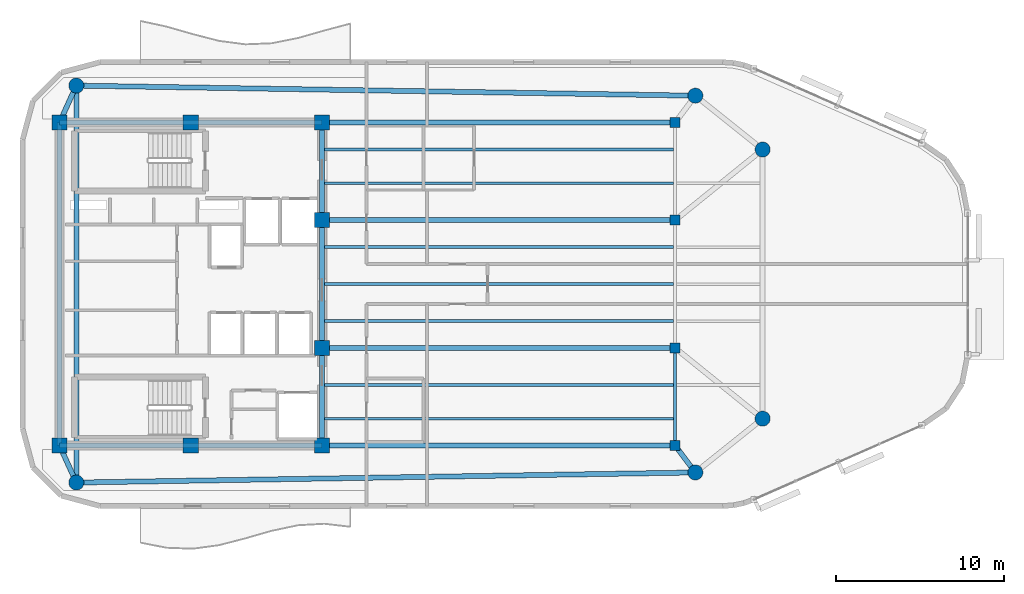
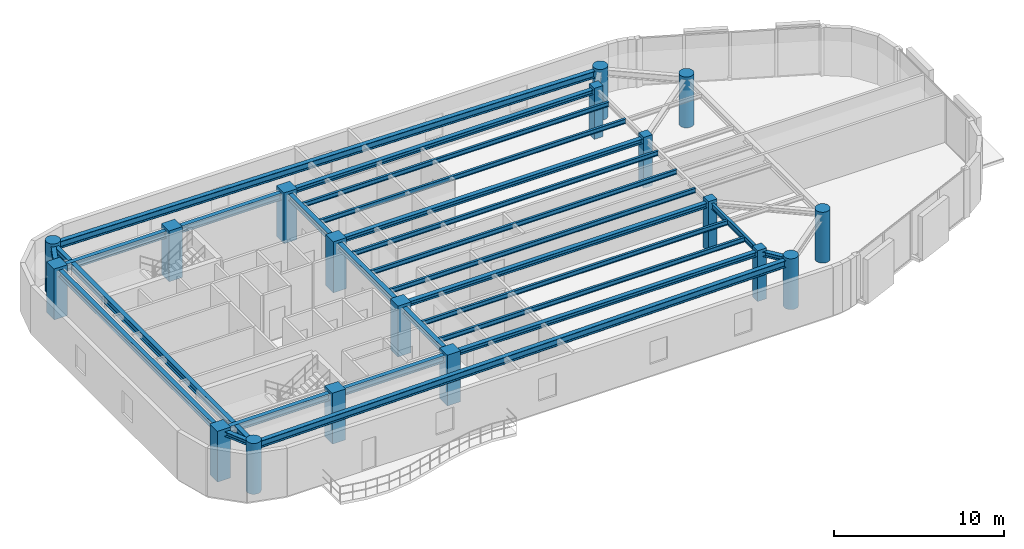
# One storey, part 1 of 12: 24 beams, 18 columns.
"""IFC4 building model written with IfcOpenShell, lengths in metres."""

from ifc_helpers import new_model, si_unit, direction, frame, origin, origin_2d, place, context, subcontext, project, spatial, rectangle, circle, i_section, extrude, material, material_profile, profile_set, type_object, element, save


model = new_model("IFC4")

# Units and contexts
model_context = context("Model", 3, precision=1e-05, world=origin(), true_north=direction((0.0, 1.0)))
body_context = subcontext(model_context, "Body", "Model", "MODEL_VIEW")
ifc_project = project(units=[si_unit("LENGTHUNIT", "METRE"), si_unit("AREAUNIT", "SQUARE_METRE"), si_unit("VOLUMEUNIT", "CUBIC_METRE"), si_unit("PLANEANGLEUNIT", "RADIAN"), si_unit("MASSUNIT", "GRAM", prefix="KILO")], contexts=[model_context])

# Site, building, storey
site_placement = place(None, origin())
site = spatial("IfcSite", under=ifc_project, at=site_placement, CompositionType="ELEMENT")
building_placement = place(site_placement, origin())
building = spatial("IfcBuilding", under=site, at=building_placement, Name="An Khanh Terracotta Commons", CompositionType="ELEMENT")
storey_placement = place(building_placement, frame((0.0, 0.0, 269.75)))
storey = spatial("IfcBuildingStorey", under=building, at=storey_placement, Name="L70", CompositionType="ELEMENT", Elevation=269.75)

# Columns
ifc_material_1 = material(Name="Concrete C50/60", Category="concrete")
ifc_material_profile_1 = material_profile(ifc_material_1, circle(Radius=0.449951171875, at=origin_2d()), Name="CFST900")
ifc_profile_set_1 = profile_set([ifc_material_profile_1], Name="Concrete C50/60")
column_type_1 = type_object("IfcColumnType", Name="COL-CFST900", PredefinedType="COLUMN", material=ifc_profile_set_1)
for number, where, z_axis, x_axis, name in (
    (1, (22.60009765625, 12.199951171875, 0.0), (0.0, 0.0, 1.0), (1.0, 0.0, 0.0), "L70 Perimeter CFST Mega-Column MC-01"),
    (2, (59.39990234375, 12.800048828125, 0.0), (0.0, 0.0, 1.0), (1.0, 0.0, 0.0), "L70 Perimeter CFST Mega-Column MC-02"),
    (3, (63.39990234375, 16.0, 0.0), (0.0, 0.0, 1.0), (1.0, 0.0, 0.0), "L70 Perimeter CFST Mega-Column MC-03"),
    (4, (63.39990234375, 32.0, 0.0), (0.0, 0.0, 1.0), (1.0, 0.0, 0.0), "L70 Perimeter CFST Mega-Column MC-04"),
    (5, (59.39990234375, 35.199951171875, 0.0), (0.0, 0.0, 1.0), (1.0, 0.0, 0.0), "L70 Perimeter CFST Mega-Column MC-05"),
    (6, (22.60009765625, 35.800048828125, 0.0), (0.0, 0.0, 1.0), (1.0, 0.0, 0.0), "L70 Perimeter CFST Mega-Column MC-06"),
):
    element("IfcColumn", number, at=place(storey_placement, frame(where, z_axis=z_axis, x_axis=x_axis)), inside=storey, type_object=column_type_1, Name=name, PredefinedType="COLUMN", context=body_context, shape_type="SweptSolid", body=[
        extrude(circle(Radius=0.449951171875, at=origin_2d()), origin(), (0.0, 0.0, 1.0), 3.64990234375),
    ])
ifc_material_profile_2 = material_profile(ifc_material_1, rectangle(XDim=0.60009765625, YDim=0.60009765625, at=origin_2d()), Name="RC600x600")
ifc_profile_set_2 = profile_set([ifc_material_profile_2], Name="Concrete C50/60")
column_type_2 = type_object("IfcColumnType", Name="COL-RC600x600", PredefinedType="COLUMN", material=ifc_profile_set_2)
for number, where, z_axis, x_axis, name in (
    (7, (58.199951171875, 14.39990234375, 0.0), (0.0, 0.0, 1.0), (1.0, 0.0, 0.0), "L70 Interior Frame Column TC-01"),
    (8, (58.199951171875, 20.199951171875, 0.0), (0.0, 0.0, 1.0), (1.0, 0.0, 0.0), "L70 Interior Frame Column TC-02"),
    (9, (58.199951171875, 27.800048828125, 0.0), (0.0, 0.0, 1.0), (1.0, 0.0, 0.0), "L70 Interior Frame Column TC-03"),
    (10, (58.199951171875, 33.60009765625, 0.0), (0.0, 0.0, 1.0), (1.0, 0.0, 0.0), "L70 Interior Frame Column TC-04"),
):
    element("IfcColumn", number, at=place(storey_placement, frame(where, z_axis=z_axis, x_axis=x_axis)), inside=storey, type_object=column_type_2, Name=name, PredefinedType="COLUMN", context=body_context, shape_type="SweptSolid", body=[
        extrude(rectangle(XDim=0.60009765625, YDim=0.60009765625, at=origin_2d()), origin(), (0.0, 0.0, 1.0), 3.64990234375),
    ])
ifc_material_profile_3 = material_profile(ifc_material_1, rectangle(XDim=0.89990234375, YDim=0.89990234375, at=origin_2d()), Name="RC900x900")
ifc_profile_set_3 = profile_set([ifc_material_profile_3], Name="Concrete C50/60")
column_type_3 = type_object("IfcColumnType", Name="COL-RC900x900", PredefinedType="COLUMN", material=ifc_profile_set_3)
for number, where, z_axis, x_axis, name in (
    (11, (21.60009765625, 14.39990234375, 0.0), (0.0, 0.0, 1.0), (1.0, 0.0, 0.0), "L70 Core Boundary Column CC-01"),
    (12, (29.39990234375, 14.39990234375, 0.0), (0.0, 0.0, 1.0), (1.0, 0.0, 0.0), "L70 Core Boundary Column CC-02"),
    (13, (37.199951171875, 14.39990234375, 0.0), (0.0, 0.0, 1.0), (1.0, 0.0, 0.0), "L70 Core Boundary Column CC-03"),
    (14, (37.199951171875, 20.199951171875, 0.0), (0.0, 0.0, 1.0), (1.0, 0.0, 0.0), "L70 Core Boundary Column CC-04"),
    (15, (37.199951171875, 27.800048828125, 0.0), (0.0, 0.0, 1.0), (1.0, 0.0, 0.0), "L70 Core Boundary Column CC-05"),
    (16, (37.199951171875, 33.60009765625, 0.0), (0.0, 0.0, 1.0), (1.0, 0.0, 0.0), "L70 Core Boundary Column CC-06"),
    (17, (29.39990234375, 33.60009765625, 0.0), (0.0, 0.0, 1.0), (1.0, 0.0, 0.0), "L70 Core Boundary Column CC-07"),
    (18, (21.60009765625, 33.60009765625, 0.0), (0.0, 0.0, 1.0), (1.0, 0.0, 0.0), "L70 Core Boundary Column CC-08"),
):
    element("IfcColumn", number, at=place(storey_placement, frame(where, z_axis=z_axis, x_axis=x_axis)), inside=storey, type_object=column_type_3, Name=name, PredefinedType="COLUMN", context=body_context, shape_type="SweptSolid", body=[
        extrude(rectangle(XDim=0.89990234375, YDim=0.89990234375, at=origin_2d()), origin(), (0.0, 0.0, 1.0), 3.64990234375),
    ])

# Beams
ifc_material_2 = material(Name="Steel S355J2", Category="steel")
ifc_material_profile_4 = material_profile(ifc_material_2, i_section(OverallWidth=0.300048828125, OverallDepth=0.340087890625, WebThickness=0.011962890625, FlangeThickness=0.021484375, FilletRadius=0.027099609375, at=origin_2d()), Name="HEB340")
ifc_profile_set_4 = profile_set([ifc_material_profile_4], Name="Steel S355J2")
beam_type_1 = type_object("IfcBeamType", Name="BM-HEB340", PredefinedType="BEAM", material=ifc_profile_set_4)
for number, where, z_axis, x_axis, name in (
    (19, (37.199951171875, 14.39990234375, 3.280029296875), (1.0, 0.0, 0.0), (0.0, 1.0, 0.0), "L70 East Primary Floor Girder 1"),
    (20, (37.199951171875, 20.199951171875, 3.280029296875), (1.0, 0.0, 0.0), (0.0, 1.0, 0.0), "L70 East Primary Floor Girder 2"),
    (21, (37.199951171875, 27.800048828125, 3.280029296875), (1.0, 0.0, 0.0), (0.0, 1.0, 0.0), "L70 East Primary Floor Girder 3"),
    (22, (37.199951171875, 33.60009765625, 3.280029296875), (1.0, 0.0, 0.0), (0.0, 1.0, 0.0), "L70 East Primary Floor Girder 4"),
):
    element("IfcBeam", number, at=place(storey_placement, frame(where, z_axis=z_axis, x_axis=x_axis)), inside=storey, type_object=beam_type_1, Name=name, PredefinedType="BEAM", context=body_context, shape_type="SweptSolid", body=[
        extrude(i_section(OverallWidth=0.300048828125, OverallDepth=0.340087890625, WebThickness=0.011962890625, FlangeThickness=0.021484375, FilletRadius=0.027099609375, at=origin_2d()), origin(), (0.0, 0.0, 1.0), 21.0),
    ])
beam_1_placement = place(storey_placement, frame((22.60009765625, 12.199951171875, 3.280029296875), z_axis=(-0.413810555983, 0.910363017569, 0.0), x_axis=(-0.910363017569, -0.413810555983, 0.0)))
element("IfcBeam", 23, at=beam_1_placement, inside=storey, type_object=beam_type_1, Name="L70 Mega-Column Tie Girder 1", PredefinedType="BEAM", context=body_context, shape_type="SweptSolid", body=[
    extrude(i_section(OverallWidth=0.300048828125, OverallDepth=0.340087890625, WebThickness=0.011962890625, FlangeThickness=0.021484375, FilletRadius=0.027099609375, at=origin_2d()), origin(), (0.0, 0.0, 1.0), 2.41650390625),
])
beam_2_placement = place(storey_placement, frame((59.39990234375, 12.800048828125, 3.280029296875), z_axis=(-0.600019532502, 0.799985350251, 0.0), x_axis=(-0.799985350251, -0.600019532502, 0.0)))
element("IfcBeam", 24, at=beam_2_placement, inside=storey, type_object=beam_type_1, Name="L70 Mega-Column Tie Girder 2", PredefinedType="BEAM", context=body_context, shape_type="SweptSolid", body=[
    extrude(i_section(OverallWidth=0.300048828125, OverallDepth=0.340087890625, WebThickness=0.011962890625, FlangeThickness=0.021484375, FilletRadius=0.027099609375, at=origin_2d()), origin(), (0.0, 0.0, 1.0), 1.999755859375),
])
beam_3_placement = place(storey_placement, frame((22.60009765625, 35.800048828125, 3.280029296875), z_axis=(-0.413810555983, -0.910363017569, 0.0), x_axis=(0.910363017569, -0.413810555983, 0.0)))
element("IfcBeam", 25, at=beam_3_placement, inside=storey, type_object=beam_type_1, Name="L70 Mega-Column Tie Girder 6", PredefinedType="BEAM", context=body_context, shape_type="SweptSolid", body=[
    extrude(i_section(OverallWidth=0.300048828125, OverallDepth=0.340087890625, WebThickness=0.011962890625, FlangeThickness=0.021484375, FilletRadius=0.027099609375, at=origin_2d()), origin(), (0.0, 0.0, 1.0), 2.41650390625),
])
ifc_material_profile_5 = material_profile(ifc_material_2, i_section(OverallWidth=0.300048828125, OverallDepth=0.449951171875, WebThickness=0.013916015625, FlangeThickness=0.02587890625, FilletRadius=0.027099609375, at=origin_2d()), Name="HEB450")
ifc_profile_set_5 = profile_set([ifc_material_profile_5], Name="Steel S355J2")
beam_type_2 = type_object("IfcBeamType", Name="BM-HEB450", PredefinedType="BEAM", material=ifc_profile_set_5)
beam_4_placement = place(storey_placement, frame((37.199951171875, 14.39990234375, 3.22509765625), z_axis=(0.0, 1.0, 0.0), x_axis=(-1.0, 0.0, 0.0)))
element("IfcBeam", 26, at=beam_4_placement, inside=storey, type_object=beam_type_2, Name="L70 Core East Coupling Girder 1", PredefinedType="BEAM", context=body_context, shape_type="SweptSolid", body=[
    extrude(i_section(OverallWidth=0.300048828125, OverallDepth=0.449951171875, WebThickness=0.013916015625, FlangeThickness=0.02587890625, FilletRadius=0.027099609375, at=origin_2d()), origin(), (0.0, 0.0, 1.0), 5.800048828125),
])
beam_5_placement = place(storey_placement, frame((37.199951171875, 20.199951171875, 3.22509765625), z_axis=(0.0, 1.0, 0.0), x_axis=(-1.0, 0.0, 0.0)))
element("IfcBeam", 27, at=beam_5_placement, inside=storey, type_object=beam_type_2, Name="L70 Core East Coupling Girder 2", PredefinedType="BEAM", context=body_context, shape_type="SweptSolid", body=[
    extrude(i_section(OverallWidth=0.300048828125, OverallDepth=0.449951171875, WebThickness=0.013916015625, FlangeThickness=0.02587890625, FilletRadius=0.027099609375, at=origin_2d()), origin(), (0.0, 0.0, 1.0), 7.60009765625),
])
beam_6_placement = place(storey_placement, frame((37.199951171875, 27.800048828125, 3.22509765625), z_axis=(0.0, 1.0, 0.0), x_axis=(-1.0, 0.0, 0.0)))
element("IfcBeam", 28, at=beam_6_placement, inside=storey, type_object=beam_type_2, Name="L70 Core East Coupling Girder 3", PredefinedType="BEAM", context=body_context, shape_type="SweptSolid", body=[
    extrude(i_section(OverallWidth=0.300048828125, OverallDepth=0.449951171875, WebThickness=0.013916015625, FlangeThickness=0.02587890625, FilletRadius=0.027099609375, at=origin_2d()), origin(), (0.0, 0.0, 1.0), 5.800048828125),
])
beam_7_placement = place(storey_placement, frame((21.60009765625, 14.39990234375, 3.22509765625), z_axis=(0.0, 1.0, 0.0), x_axis=(-1.0, 0.0, 0.0)))
element("IfcBeam", 29, at=beam_7_placement, inside=storey, type_object=beam_type_2, Name="L70 Core West Coupling Girder", PredefinedType="BEAM", context=body_context, shape_type="SweptSolid", body=[
    extrude(i_section(OverallWidth=0.300048828125, OverallDepth=0.449951171875, WebThickness=0.013916015625, FlangeThickness=0.02587890625, FilletRadius=0.027099609375, at=origin_2d()), origin(), (0.0, 0.0, 1.0), 19.2001953125),
])
ifc_material_profile_6 = material_profile(ifc_material_2, i_section(OverallWidth=0.300048828125, OverallDepth=0.5, WebThickness=0.014404296875, FlangeThickness=0.028076171875, FilletRadius=0.027099609375, at=origin_2d()), Name="HEB500")
ifc_profile_set_6 = profile_set([ifc_material_profile_6], Name="Steel S355J2")
beam_type_3 = type_object("IfcBeamType", Name="BM-HEB500", PredefinedType="BEAM", material=ifc_profile_set_6)
for number, where, z_axis, x_axis, name in (
    (30, (21.60009765625, 14.39990234375, 3.199951171875), (1.0, 0.0, 0.0), (0.0, 1.0, 0.0), "L70 Core South Coupling Girder"),
    (31, (21.60009765625, 33.60009765625, 3.199951171875), (1.0, 0.0, 0.0), (0.0, 1.0, 0.0), "L70 Core North Coupling Girder"),
):
    element("IfcBeam", number, at=place(storey_placement, frame(where, z_axis=z_axis, x_axis=x_axis)), inside=storey, type_object=beam_type_3, Name=name, PredefinedType="BEAM", context=body_context, shape_type="SweptSolid", body=[
        extrude(i_section(OverallWidth=0.300048828125, OverallDepth=0.5, WebThickness=0.014404296875, FlangeThickness=0.028076171875, FilletRadius=0.027099609375, at=origin_2d()), origin(), (0.0, 0.0, 1.0), 15.599853515625),
    ])
for number, where, z_axis, x_axis, name in (
    (32, (22.60009765625, 12.199951171875, 3.199951171875), (0.999867065951, 0.01630492031, 0.0), (-0.01630492031, 0.999867065951, 0.0), "L70 Perimeter Ring Spandrel 1"),
    (33, (59.39990234375, 35.199951171875, 3.199951171875), (-0.999867065951, 0.01630492031, 0.0), (-0.01630492031, -0.999867065951, 0.0), "L70 Perimeter Ring Spandrel 5"),
):
    element("IfcBeam", number, at=place(storey_placement, frame(where, z_axis=z_axis, x_axis=x_axis)), inside=storey, type_object=beam_type_3, Name=name, PredefinedType="BEAM", context=body_context, shape_type="SweptSolid", body=[
        extrude(i_section(OverallWidth=0.300048828125, OverallDepth=0.5, WebThickness=0.014404296875, FlangeThickness=0.028076171875, FilletRadius=0.027099609375, at=origin_2d()), origin(), (0.0, 0.0, 1.0), 36.8046875),
    ])
beam_8_placement = place(storey_placement, frame((22.60009765625, 35.800048828125, 3.199951171875), z_axis=(0.0, -1.0, 0.0), x_axis=(1.0, 0.0, 0.0)))
element("IfcBeam", 34, at=beam_8_placement, inside=storey, type_object=beam_type_3, Name="L70 Perimeter Ring Spandrel 6", PredefinedType="BEAM", context=body_context, shape_type="SweptSolid", body=[
    extrude(i_section(OverallWidth=0.300048828125, OverallDepth=0.5, WebThickness=0.014404296875, FlangeThickness=0.028076171875, FilletRadius=0.027099609375, at=origin_2d()), origin(), (0.0, 0.0, 1.0), 23.60009765625),
])
ifc_material_profile_7 = material_profile(ifc_material_2, i_section(OverallWidth=0.159912109375, OverallDepth=0.330078125, WebThickness=0.007568359375, FlangeThickness=0.011474609375, FilletRadius=0.01806640625, at=origin_2d()), Name="IPE330")
ifc_profile_set_7 = profile_set([ifc_material_profile_7], Name="Steel S355J2")
beam_type_4 = type_object("IfcBeamType", Name="BM-IPE330", PredefinedType="JOIST", material=ifc_profile_set_7)
for number, where, z_axis, x_axis, name in (
    (35, (37.199951171875, 16.0, 3.284912109375), (1.0, 0.0, 0.0), (0.0, 1.0, 0.0), "L70 Inboard Composite Joist 1"),
    (36, (37.199951171875, 18.0, 3.284912109375), (1.0, 0.0, 0.0), (0.0, 1.0, 0.0), "L70 Inboard Composite Joist 2"),
    (37, (37.199951171875, 21.800048828125, 3.284912109375), (1.0, 0.0, 0.0), (0.0, 1.0, 0.0), "L70 Inboard Composite Joist 3"),
    (38, (37.199951171875, 24.0, 3.284912109375), (1.0, 0.0, 0.0), (0.0, 1.0, 0.0), "L70 Inboard Composite Joist 4"),
    (39, (37.199951171875, 26.199951171875, 3.284912109375), (1.0, 0.0, 0.0), (0.0, 1.0, 0.0), "L70 Inboard Composite Joist 5"),
    (40, (37.199951171875, 30.0, 3.284912109375), (1.0, 0.0, 0.0), (0.0, 1.0, 0.0), "L70 Inboard Composite Joist 6"),
    (41, (37.199951171875, 32.0, 3.284912109375), (1.0, 0.0, 0.0), (0.0, 1.0, 0.0), "L70 Inboard Composite Joist 7"),
):
    element("IfcBeam", number, at=place(storey_placement, frame(where, z_axis=z_axis, x_axis=x_axis)), inside=storey, type_object=beam_type_4, Name=name, PredefinedType="JOIST", context=body_context, shape_type="SweptSolid", body=[
        extrude(i_section(OverallWidth=0.159912109375, OverallDepth=0.330078125, WebThickness=0.007568359375, FlangeThickness=0.011474609375, FilletRadius=0.01806640625, at=origin_2d()), origin(), (0.0, 0.0, 1.0), 20.91015625),
    ])
ifc_material_profile_8 = material_profile(ifc_material_2, i_section(OverallWidth=0.179931640625, OverallDepth=0.39990234375, WebThickness=0.008544921875, FlangeThickness=0.013427734375, FilletRadius=0.02099609375, at=origin_2d()), Name="IPE400")
ifc_profile_set_8 = profile_set([ifc_material_profile_8], Name="Steel S355J2")
beam_type_5 = type_object("IfcBeamType", Name="BM-IPE400", PredefinedType="JOIST", material=ifc_profile_set_8)
beam_9_placement = place(storey_placement, frame((58.199951171875, 14.550048828125, 3.25), z_axis=(0.0, 1.0, 0.0), x_axis=(-1.0, 0.0, 0.0)))
element("IfcBeam", 42, at=beam_9_placement, inside=storey, type_object=beam_type_5, Name="L70 East Spine Girder 1", PredefinedType="JOIST", context=body_context, shape_type="SweptSolid", body=[
    extrude(i_section(OverallWidth=0.179931640625, OverallDepth=0.39990234375, WebThickness=0.008544921875, FlangeThickness=0.013427734375, FilletRadius=0.02099609375, at=origin_2d()), origin(), (0.0, 0.0, 1.0), 5.5),
])

save(model, "model.ifc")
